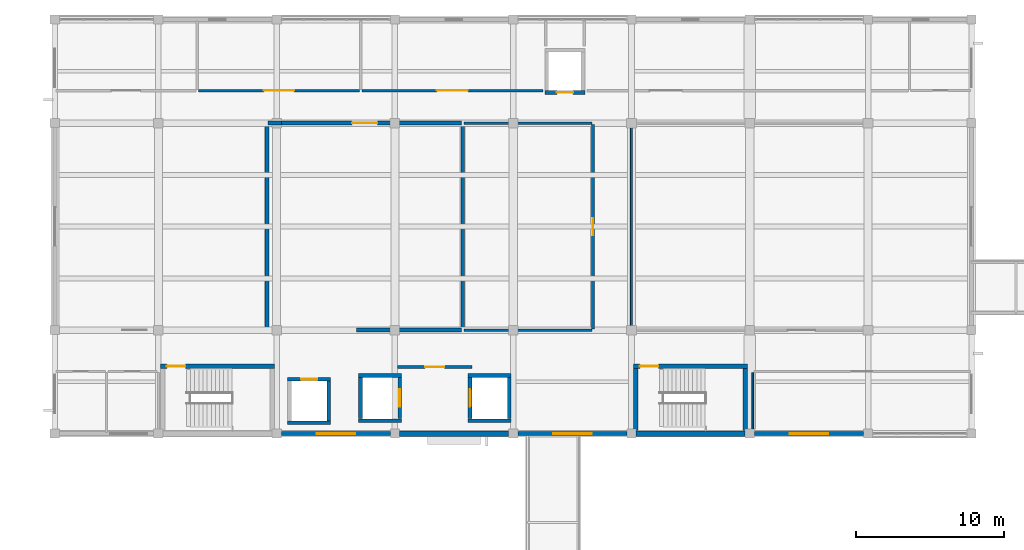
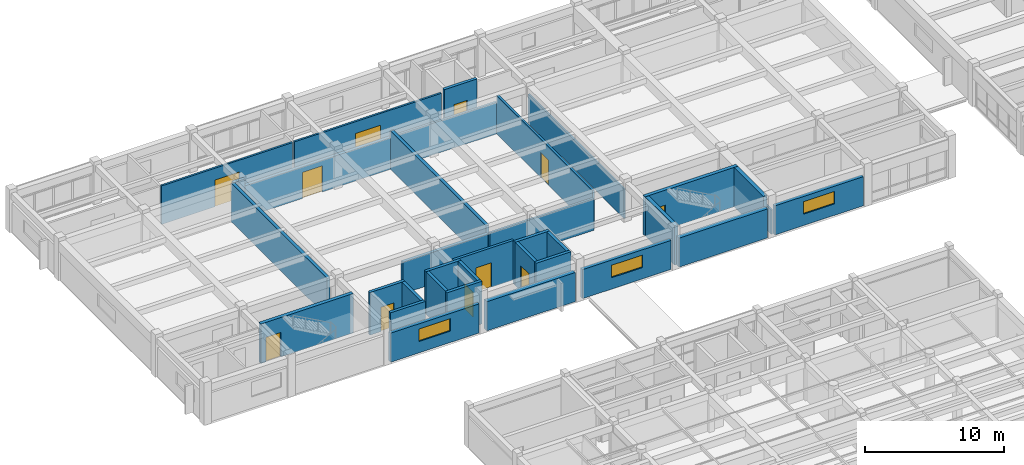
# One storey, part 24 of 33: 34 walls, 11 doors, 3 windows, 14 openings.
"""IFC4 building model written with IfcOpenShell, lengths in metres."""

from ifc_helpers import new_model, si_unit, direction, frame, frame_2d, origin, place, context, subcontext, project, spatial, rectangle, extrude, material, layer, layer_set, type_object, element, fill, save


model = new_model("IFC4")

# Units and contexts
model_context = context("Model", 3, precision=1e-05, world=origin(), true_north=direction((0.0, 1.0)))
body_context = subcontext(model_context, "Body", "Model", "MODEL_VIEW")
ifc_project = project(units=[si_unit("LENGTHUNIT", "METRE"), si_unit("AREAUNIT", "SQUARE_METRE"), si_unit("VOLUMEUNIT", "CUBIC_METRE"), si_unit("PLANEANGLEUNIT", "RADIAN"), si_unit("MASSUNIT", "GRAM", prefix="KILO")], contexts=[model_context])

# Site, building, storey
site_placement = place(None, origin())
site = spatial("IfcSite", under=ifc_project, at=site_placement, CompositionType="ELEMENT")
building_placement = place(site_placement, origin())
building = spatial("IfcBuilding", under=site, at=building_placement, Name="Naurynzar Civic Courthouse", CompositionType="ELEMENT")
storey_placement = place(building_placement, frame((0.0, 0.0, 22.050048828125)))
storey = spatial("IfcBuildingStorey", under=building, at=storey_placement, Name="L06", CompositionType="ELEMENT", Elevation=22.050048828125)

# Walls
ifc_material_1 = material(Name="Acoustic Double-Stud Gypsum Partition")
ifc_layer_1 = layer(ifc_material_1, 0.135009765625)
ifc_layer_set_1 = layer_set([ifc_layer_1], Name="WL-ACOUSTIC-135")
wall_type_1 = type_object("IfcWallType", Name="WL-ACOUSTIC-135", PredefinedType="PARTITIONING", material=ifc_layer_set_1)
wall_1_placement = place(storey_placement, frame((101.0, 51.080078125, 0.0), z_axis=(0.0, 0.0, 1.0), x_axis=(0.0, 1.0, 0.0)))
element("IfcWall", 1, at=wall_1_placement, inside=storey, type_object=wall_type_1, Name="V2 interior partition L06.705", PredefinedType="PARTITIONING", context=body_context, shape_type="SweptSolid", body=[
    extrude(rectangle(XDim=13.83984375, YDim=0.135009765625, at=frame_2d((6.919921875, 0.0))), origin(), (0.0, 0.0, 1.0), 2.579833984375),
])
ifc_material_2 = material(Name="Acoustic Double-Stud Gypsum Partition")
ifc_layer_2 = layer(ifc_material_2, 0.2548828125)
ifc_layer_set_2 = layer_set([ifc_layer_2], Name="WL-ACOUSTIC-255")
wall_type_2 = type_object("IfcWallType", Name="WL-ACOUSTIC-255", PredefinedType="PARTITIONING", material=ifc_layer_set_2)
wall_2_placement = place(storey_placement, frame((82.39990234375, 51.0, 0.0), z_axis=(0.0, 0.0, 1.0), x_axis=(1.0, 0.0, 0.0)))
element("IfcWall", 2, at=wall_2_placement, inside=storey, type_object=wall_type_2, Name="V2 interior partition L06.672", PredefinedType="PARTITIONING", context=body_context, shape_type="SweptSolid", body=[
    extrude(rectangle(XDim=7.10009765625, YDim=0.2548828125, at=frame_2d((3.550048828125, 0.0))), origin(), (0.0, 0.0, 1.0), 2.780029296875),
])
wall_3_placement = place(storey_placement, frame((76.419921875, 65.0, 0.0), z_axis=(0.0, 0.0, 1.0), x_axis=(1.0, 0.0, 0.0)))
element("IfcWall", 3, at=wall_3_placement, inside=storey, type_object=wall_type_2, Name="V2 interior partition L06.678a", PredefinedType="PARTITIONING", context=body_context, shape_type="SweptSolid", body=[
    extrude(rectangle(XDim=0.905029296875, YDim=0.2548828125, at=frame_2d((0.45263671875, 0.0))), origin(), (0.0, 0.0, 1.0), 3.389892578125),
])

# Wall, opening, door
wall_4_placement = place(storey_placement, frame((77.324951171875, 65.0, 0.0), z_axis=(0.0, 0.0, 1.0), x_axis=(1.0, 0.0, 0.0)))
wall_4 = element("IfcWall", 4, at=wall_4_placement, inside=storey, type_object=wall_type_2, Name="V2 interior partition L06.678ab", PredefinedType="PARTITIONING", context=body_context, shape_type="SweptSolid", body=[
    extrude(rectangle(XDim=12.175048828125, YDim=0.2548828125, at=frame_2d((6.08740234375, 0.0))), origin(), (0.0, 0.0, 1.0), 2.780029296875),
])
opening_1_placement = place(wall_4_placement, frame((4.784912109375, 0.0, 0.0)))
opening_1 = element("IfcOpeningElement", 5, at=opening_1_placement, cuts=wall_4, Name="Opening D-167", PredefinedType="OPENING", context=body_context, shape_type="SweptSolid", body=[
    extrude(rectangle(XDim=1.699951171875, YDim=2.300048828125, at=frame_2d((0.85009765625, 1.14990234375))), frame((0.0, 0.137451171875, 0.0), z_axis=(0.0, -1.0, 0.0), x_axis=(1.0, 0.0, 0.0)), (0.0, 0.0, 1.0), 0.27490234375),
])
ifc_material_3 = material(Name="Acoustic Oak Timber Grade A", Category="wood")
door_type_1 = type_object("IfcDoorType", Name="DR-SUITE-1700x2300", OperationType="DOUBLE_DOOR_SINGLE_SWING", PredefinedType="DOOR", material=ifc_material_3)
door_1_placement = place(opening_1_placement, origin())
door_1 = element("IfcDoor", 6, at=door_1_placement, inside=storey, type_object=door_type_1, Name="Interior door D-167 (Civil Trial Courtroom 6B)", OperationType="DOUBLE_DOOR_SINGLE_SWING", OverallHeight=2.300048828125, OverallWidth=1.699951171875, PredefinedType="DOOR", context=body_context, shape_type="SweptSolid", body=[
    extrude(rectangle(XDim=1.699951171875, YDim=2.300048828125, at=frame_2d((0.85009765625, 1.14990234375))), frame((0.0, 0.02490234375, 0.0), z_axis=(0.0, -1.0, 0.0), x_axis=(1.0, 0.0, 0.0)), (0.0, 0.0, 1.0), 0.050048828125),
])
fill(opening_1, door_1)

# Walls
for number, where, z_axis, x_axis, name in (
    (7, (76.340087890625, 51.080078125, 0.0), (0.0, 0.0, 1.0), (0.0, 1.0, 0.0), "V2 interior partition L06.692"),
    (8, (89.580078125, 51.080078125, 0.0), (0.0, 0.0, 1.0), (0.0, 1.0, 0.0), "V2 interior partition L06.698"),
):
    element("IfcWall", number, at=place(storey_placement, frame(where, z_axis=z_axis, x_axis=x_axis)), inside=storey, type_object=wall_type_2, Name=name, PredefinedType="PARTITIONING", context=body_context, shape_type="SweptSolid", body=[
        extrude(rectangle(XDim=13.83984375, YDim=0.2548828125, at=frame_2d((6.919921875, 0.0))), origin(), (0.0, 0.0, 1.0), 3.389892578125),
    ])

# Wall, opening, door
ifc_material_4 = material(Name="Concrete C40/50", Category="concrete")
ifc_layer_3 = layer(ifc_material_4, 0.300048828125)
ifc_layer_set_3 = layer_set([ifc_layer_3], Name="WL-CORE-300")
wall_type_3 = type_object("IfcWallType", Name="WL-CORE-300", PredefinedType="SHEAR", material=ifc_layer_set_3)
wall_5_placement = place(storey_placement, frame((76.85009765625, 48.550048828125, 0.0), z_axis=(0.0, 0.0, 1.0), x_axis=(-1.0, 0.0, 0.0)))
wall_5 = element("IfcWall", 9, at=wall_5_placement, inside=storey, type_object=wall_type_3, Name="Stair ST-V2A enclosure wall north L06", PredefinedType="SHEAR", context=body_context, shape_type="SweptSolid", body=[
    extrude(rectangle(XDim=7.7001953125, YDim=0.300048828125, at=frame_2d((3.85009765625, 0.0))), origin(), (0.0, 0.0, 1.0), 3.469970703125),
])
opening_2_placement = place(wall_5_placement, frame((6.02490234375, 0.0, 0.0)))
opening_2 = element("IfcOpeningElement", 10, at=opening_2_placement, cuts=wall_5, Name="Opening SD-029", PredefinedType="OPENING", context=body_context, shape_type="SweptSolid", body=[
    extrude(rectangle(XDim=1.25, YDim=2.14990234375, at=frame_2d((0.625, 1.074951171875))), frame((0.0, 0.159912109375, 0.0), z_axis=(0.0, -1.0, 0.0), x_axis=(1.0, 0.0, 0.0)), (0.0, 0.0, 1.0), 0.320068359375),
])
ifc_material_5 = material(Name="Powder-Coated Galvanised Steel", Category="steel")
door_type_2 = type_object("IfcDoorType", Name="DR-STAIR-1250x2150", OperationType="NOTDEFINED", PredefinedType="DOOR", material=ifc_material_5)
door_2_placement = place(opening_2_placement, origin())
door_2 = element("IfcDoor", 11, at=door_2_placement, inside=storey, type_object=door_type_2, Name="Stair ST-V2A fire door L06", OperationType="SINGLE_SWING_LEFT", OverallHeight=2.14990234375, OverallWidth=1.25, PredefinedType="DOOR", context=body_context, shape_type="SweptSolid", body=[
    extrude(rectangle(XDim=1.25, YDim=2.14990234375, at=frame_2d((0.625, 1.074951171875))), frame((0.0, 0.02490234375, 0.0), z_axis=(0.0, -1.0, 0.0), x_axis=(1.0, 0.0, 0.0)), (0.0, 0.0, 1.0), 0.050048828125),
])
fill(opening_2, door_2)

wall_6_placement = place(storey_placement, frame((108.85009765625, 48.550048828125, 0.0), z_axis=(0.0, 0.0, 1.0), x_axis=(-1.0, 0.0, 0.0)))
wall_6 = element("IfcWall", 12, at=wall_6_placement, inside=storey, type_object=wall_type_3, Name="Stair ST-V2B enclosure wall north L06", PredefinedType="SHEAR", context=body_context, shape_type="SweptSolid", body=[
    extrude(rectangle(XDim=7.7001953125, YDim=0.300048828125, at=frame_2d((3.85009765625, 0.0))), origin(), (0.0, 0.0, 1.0), 3.469970703125),
])
opening_3_placement = place(wall_6_placement, frame((6.02490234375, 0.0, 0.0)))
opening_3 = element("IfcOpeningElement", 13, at=opening_3_placement, cuts=wall_6, Name="Opening SD-040", PredefinedType="OPENING", context=body_context, shape_type="SweptSolid", body=[
    extrude(rectangle(XDim=1.25, YDim=2.14990234375, at=frame_2d((0.625, 1.074951171875))), frame((0.0, 0.159912109375, 0.0), z_axis=(0.0, -1.0, 0.0), x_axis=(1.0, 0.0, 0.0)), (0.0, 0.0, 1.0), 0.320068359375),
])
door_3_placement = place(opening_3_placement, origin())
door_3 = element("IfcDoor", 14, at=door_3_placement, inside=storey, type_object=door_type_2, Name="Stair ST-V2B fire door L06", OperationType="SINGLE_SWING_RIGHT", OverallHeight=2.14990234375, OverallWidth=1.25, PredefinedType="DOOR", context=body_context, shape_type="SweptSolid", body=[
    extrude(rectangle(XDim=1.25, YDim=2.14990234375, at=frame_2d((0.625, 1.074951171875))), frame((0.0, 0.02490234375, 0.0), z_axis=(0.0, -1.0, 0.0), x_axis=(1.0, 0.0, 0.0)), (0.0, 0.0, 1.0), 0.050048828125),
])
fill(opening_3, door_3)

# Walls
for number, where, z_axis, x_axis, name in (
    (15, (101.300048828125, 48.39501953125, 0.0), (0.0, 0.0, 1.0), (0.0, -1.0, 0.0), "Stair ST-V2B enclosure wall west L06"),
    (16, (108.699951171875, 44.195068359375, 0.0), (0.0, 0.0, 1.0), (0.0, 1.0, 0.0), "Stair ST-V2B enclosure wall east L06"),
):
    element("IfcWall", number, at=place(storey_placement, frame(where, z_axis=z_axis, x_axis=x_axis)), inside=storey, type_object=wall_type_3, Name=name, PredefinedType="SHEAR", context=body_context, shape_type="SweptSolid", body=[
        extrude(rectangle(XDim=4.199951171875, YDim=0.300048828125, at=frame_2d((2.10009765625, 0.0))), origin(), (0.0, 0.0, 1.0), 3.469970703125),
    ])

# Wall, opening, window
ifc_material_6 = material(Name="Precast concrete C40/50", Category="concrete")
ifc_layer_4 = layer(ifc_material_6, 0.280029296875)
ifc_layer_set_4 = layer_set([ifc_layer_4], Name="WL-EXT-280")
wall_type_4 = type_object("IfcWallType", Name="WL-EXT-280", PredefinedType="SOLIDWALL", material=ifc_layer_set_4)
wall_7_placement = place(storey_placement, frame((116.6875, 44.0, 0.0), z_axis=(0.0, 0.0, 1.0), x_axis=(-1.0, 0.0, 0.0)))
wall_7 = element("IfcWall", 17, at=wall_7_placement, inside=storey, type_object=wall_type_4, Name="V2 exterior wall south L06.2.1", PredefinedType="SOLIDWALL", context=body_context, shape_type="SweptSolid", body=[
    extrude(rectangle(XDim=7.375, YDim=0.280029296875, at=frame_2d((3.6875, 0.0))), origin(), (0.0, 0.0, 1.0), 2.56005859375),
])
opening_4_placement = place(wall_7_placement, frame((2.387451171875, 0.0, 1.0)))
opening_4 = element("IfcOpeningElement", 18, at=opening_4_placement, cuts=wall_7, Name="Opening WN-17", PredefinedType="OPENING", context=body_context, shape_type="SweptSolid", body=[
    extrude(rectangle(XDim=2.60009765625, YDim=1.10009765625, at=frame_2d((1.300048828125, 0.550048828125))), frame((0.0, 0.14990234375, 0.0), z_axis=(0.0, -1.0, 0.0), x_axis=(1.0, 0.0, 0.0)), (0.0, 0.0, 1.0), 0.300048828125),
])
ifc_material_7 = material(Name="Tempered Laminated Low-E Glass", Category="glass")
window_type = type_object("IfcWindowType", Name="WIN-CLER-2600x1100", PartitioningType="DOUBLE_PANEL_VERTICAL", PredefinedType="WINDOW", material=ifc_material_7)
window_1_placement = place(opening_4_placement, origin())
window_1 = element("IfcWindow", 19, at=window_1_placement, inside=storey, type_object=window_type, Name="V2 window 102 L06", OverallHeight=1.10009765625, OverallWidth=2.60009765625, PartitioningType="SINGLE_PANEL", PredefinedType="WINDOW", context=body_context, shape_type="SweptSolid", body=[
    extrude(rectangle(XDim=2.60009765625, YDim=1.10009765625, at=frame_2d((1.300048828125, 0.550048828125))), frame((0.0, 0.030029296875, 0.0), z_axis=(0.0, -1.0, 0.0), x_axis=(1.0, 0.0, 0.0)), (0.0, 0.0, 1.0), 0.06005859375),
])
fill(opening_4, window_1)

wall_8_placement = place(storey_placement, frame((100.6875, 44.0, 0.0), z_axis=(0.0, 0.0, 1.0), x_axis=(-1.0, 0.0, 0.0)))
wall_8 = element("IfcWall", 20, at=wall_8_placement, inside=storey, type_object=wall_type_4, Name="V2 exterior wall south L06.4.1", PredefinedType="SOLIDWALL", context=body_context, shape_type="SweptSolid", body=[
    extrude(rectangle(XDim=7.375, YDim=0.280029296875, at=frame_2d((3.6875, 0.0))), origin(), (0.0, 0.0, 1.0), 2.56005859375),
])
opening_5_placement = place(wall_8_placement, frame((2.387451171875, 0.0, 1.0)))
opening_5 = element("IfcOpeningElement", 21, at=opening_5_placement, cuts=wall_8, Name="Opening WN-17", PredefinedType="OPENING", context=body_context, shape_type="SweptSolid", body=[
    extrude(rectangle(XDim=2.60009765625, YDim=1.10009765625, at=frame_2d((1.300048828125, 0.550048828125))), frame((0.0, 0.14990234375, 0.0), z_axis=(0.0, -1.0, 0.0), x_axis=(1.0, 0.0, 0.0)), (0.0, 0.0, 1.0), 0.300048828125),
])
window_2_placement = place(opening_5_placement, origin())
window_2 = element("IfcWindow", 22, at=window_2_placement, inside=storey, type_object=window_type, Name="V2 window 103 L06", OverallHeight=1.10009765625, OverallWidth=2.60009765625, PartitioningType="SINGLE_PANEL", PredefinedType="WINDOW", context=body_context, shape_type="SweptSolid", body=[
    extrude(rectangle(XDim=2.60009765625, YDim=1.10009765625, at=frame_2d((1.300048828125, 0.550048828125))), frame((0.0, 0.030029296875, 0.0), z_axis=(0.0, -1.0, 0.0), x_axis=(1.0, 0.0, 0.0)), (0.0, 0.0, 1.0), 0.06005859375),
])
fill(opening_5, window_2)

wall_9_placement = place(storey_placement, frame((84.6875, 44.0, 0.0), z_axis=(0.0, 0.0, 1.0), x_axis=(-1.0, 0.0, 0.0)))
wall_9 = element("IfcWall", 23, at=wall_9_placement, inside=storey, type_object=wall_type_4, Name="V2 exterior wall south L06.6.1", PredefinedType="SOLIDWALL", context=body_context, shape_type="SweptSolid", body=[
    extrude(rectangle(XDim=7.375, YDim=0.280029296875, at=frame_2d((3.6875, 0.0))), origin(), (0.0, 0.0, 1.0), 2.56005859375),
])
opening_6_placement = place(wall_9_placement, frame((2.387451171875, 0.0, 1.0)))
opening_6 = element("IfcOpeningElement", 24, at=opening_6_placement, cuts=wall_9, Name="Opening WN-17", PredefinedType="OPENING", context=body_context, shape_type="SweptSolid", body=[
    extrude(rectangle(XDim=2.60009765625, YDim=1.10009765625, at=frame_2d((1.300048828125, 0.550048828125))), frame((0.0, 0.14990234375, 0.0), z_axis=(0.0, -1.0, 0.0), x_axis=(1.0, 0.0, 0.0)), (0.0, 0.0, 1.0), 0.300048828125),
])
window_3_placement = place(opening_6_placement, origin())
window_3 = element("IfcWindow", 25, at=window_3_placement, inside=storey, type_object=window_type, Name="V2 window 104 L06", OverallHeight=1.10009765625, OverallWidth=2.60009765625, PartitioningType="SINGLE_PANEL", PredefinedType="WINDOW", context=body_context, shape_type="SweptSolid", body=[
    extrude(rectangle(XDim=2.60009765625, YDim=1.10009765625, at=frame_2d((1.300048828125, 0.550048828125))), frame((0.0, 0.030029296875, 0.0), z_axis=(0.0, -1.0, 0.0), x_axis=(1.0, 0.0, 0.0)), (0.0, 0.0, 1.0), 0.06005859375),
])
fill(opening_6, window_3)

# Wall, opening, door
ifc_material_8 = material(Name="Concrete C35/45", Category="concrete")
ifc_layer_5 = layer(ifc_material_8, 0.219970703125)
ifc_layer_set_5 = layer_set([ifc_layer_5], Name="WL-FFL-220")
wall_type_5 = type_object("IfcWallType", Name="WL-FFL-220", PredefinedType="SOLIDWALL", material=ifc_layer_set_5)
wall_10_placement = place(storey_placement, frame((85.179931640625, 48.510009765625, 0.0), z_axis=(0.0, 0.0, 1.0), x_axis=(1.0, 0.0, 0.0)))
wall_10 = element("IfcWall", 26, at=wall_10_placement, inside=storey, type_object=wall_type_5, Name="Firefighting lift lobby EI 120 wall CORE-V2 L06 north", PredefinedType="SOLIDWALL", context=body_context, shape_type="SweptSolid", body=[
    extrude(rectangle(XDim=5.0400390625, YDim=0.219970703125, at=frame_2d((2.52001953125, 0.0))), origin(), (0.0, 0.0, 1.0), 3.469970703125),
])
opening_7_placement = place(wall_10_placement, frame((1.8701171875, 0.0, 0.0)))
opening_7 = element("IfcOpeningElement", 27, at=opening_7_placement, cuts=wall_10, Name="Opening FD-07", PredefinedType="OPENING", context=body_context, shape_type="SweptSolid", body=[
    extrude(rectangle(XDim=1.300048828125, YDim=2.14990234375, at=frame_2d((0.64990234375, 1.074951171875))), frame((0.0, 0.119873046875, 0.0), z_axis=(0.0, -1.0, 0.0), x_axis=(1.0, 0.0, 0.0)), (0.0, 0.0, 1.0), 0.239990234375),
])
ifc_material_9 = material(Name="Powder-Coated Galvanised Steel", Category="steel")
door_type_3 = type_object("IfcDoorType", Name="DR-FFL-1300x2150", OperationType="NOTDEFINED", PredefinedType="DOOR", material=ifc_material_9)
door_4_placement = place(opening_7_placement, origin())
door_4 = element("IfcDoor", 28, at=door_4_placement, inside=storey, type_object=door_type_3, Name="Firefighting lift lobby door FD-07", OperationType="SINGLE_SWING_LEFT", OverallHeight=2.14990234375, OverallWidth=1.300048828125, PredefinedType="DOOR", context=body_context, shape_type="SweptSolid", body=[
    extrude(rectangle(XDim=1.300048828125, YDim=2.14990234375, at=frame_2d((0.64990234375, 1.074951171875))), frame((0.0, 0.02490234375, 0.0), z_axis=(0.0, -1.0, 0.0), x_axis=(1.0, 0.0, 0.0)), (0.0, 0.0, 1.0), 0.050048828125),
])
fill(opening_7, door_4)

ifc_material_10 = material(Name="Insulated Metal-Stud Gypsum Partition")
ifc_layer_6 = layer(ifc_material_10, 0.159912109375)
ifc_layer_set_6 = layer_set([ifc_layer_6], Name="WL-PART-CHAMB-160")
wall_type_6 = type_object("IfcWallType", Name="WL-PART-CHAMB-160", PredefinedType="PARTITIONING", material=ifc_layer_set_6)
wall_11_placement = place(storey_placement, frame((71.699951171875, 67.199951171875, 0.0), z_axis=(0.0, 0.0, 1.0), x_axis=(1.0, 0.0, 0.0)))
wall_11 = element("IfcWall", 29, at=wall_11_placement, inside=storey, type_object=wall_type_6, Name="V2 interior partition L06.685", PredefinedType="PARTITIONING", context=body_context, shape_type="SweptSolid", body=[
    extrude(rectangle(XDim=10.91015625, YDim=0.159912109375, at=frame_2d((5.455078125, 0.0))), origin(), (0.0, 0.0, 1.0), 3.389892578125),
])
opening_8_placement = place(wall_11_placement, frame((4.429931640625, 0.0, 0.0)))
opening_8 = element("IfcOpeningElement", 30, at=opening_8_placement, cuts=wall_11, Name="Opening D-171", PredefinedType="OPENING", context=body_context, shape_type="SweptSolid", body=[
    extrude(rectangle(XDim=2.050048828125, YDim=2.35009765625, at=frame_2d((1.02490234375, 1.175048828125))), frame((0.0, 0.08984375, 0.0), z_axis=(0.0, -1.0, 0.0), x_axis=(1.0, 0.0, 0.0)), (0.0, 0.0, 1.0), 0.179931640625),
])
ifc_material_11 = material(Name="Acoustic Oak Timber Grade A", Category="wood")
door_type_4 = type_object("IfcDoorType", Name="DR-SUITE-2050x2350", OperationType="DOUBLE_DOOR_SINGLE_SWING", PredefinedType="DOOR", material=ifc_material_11)
door_5_placement = place(opening_8_placement, origin())
door_5 = element("IfcDoor", 31, at=door_5_placement, inside=storey, type_object=door_type_4, Name="Interior door D-171 (Judges' Chambers L06-2)", OperationType="DOUBLE_DOOR_SINGLE_SWING", OverallHeight=2.35009765625, OverallWidth=2.050048828125, PredefinedType="DOOR", context=body_context, shape_type="SweptSolid", body=[
    extrude(rectangle(XDim=2.050048828125, YDim=2.35009765625, at=frame_2d((1.02490234375, 1.175048828125))), frame((0.0, 0.02490234375, 0.0), z_axis=(0.0, -1.0, 0.0), x_axis=(1.0, 0.0, 0.0)), (0.0, 0.0, 1.0), 0.050048828125),
])
fill(opening_8, door_5)

wall_12_placement = place(storey_placement, frame((82.77001953125, 67.199951171875, 0.0), z_axis=(0.0, 0.0, 1.0), x_axis=(1.0, 0.0, 0.0)))
wall_12 = element("IfcWall", 32, at=wall_12_placement, inside=storey, type_object=wall_type_6, Name="V2 interior partition L06.686", PredefinedType="PARTITIONING", context=body_context, shape_type="SweptSolid", body=[
    extrude(rectangle(XDim=12.22998046875, YDim=0.159912109375, at=frame_2d((6.114990234375, 0.0))), origin(), (0.0, 0.0, 1.0), 3.389892578125),
])
opening_9_placement = place(wall_12_placement, frame((5.06494140625, 0.0, 0.0)))
opening_9 = element("IfcOpeningElement", 33, at=opening_9_placement, cuts=wall_12, Name="Opening D-172", PredefinedType="OPENING", context=body_context, shape_type="SweptSolid", body=[
    extrude(rectangle(XDim=2.10009765625, YDim=2.35009765625, at=frame_2d((1.050048828125, 1.175048828125))), frame((0.0, 0.08984375, 0.0), z_axis=(0.0, -1.0, 0.0), x_axis=(1.0, 0.0, 0.0)), (0.0, 0.0, 1.0), 0.179931640625),
])
ifc_material_12 = material(Name="Acoustic Oak Timber Grade A", Category="wood")
door_type_5 = type_object("IfcDoorType", Name="DR-SUITE-2100x2350", OperationType="DOUBLE_DOOR_SINGLE_SWING", PredefinedType="DOOR", material=ifc_material_12)
door_6_placement = place(opening_9_placement, origin())
door_6 = element("IfcDoor", 34, at=door_6_placement, inside=storey, type_object=door_type_5, Name="Interior door D-172 (Judges' Chambers L06-3)", OperationType="DOUBLE_DOOR_SINGLE_SWING", OverallHeight=2.35009765625, OverallWidth=2.10009765625, PredefinedType="DOOR", context=body_context, shape_type="SweptSolid", body=[
    extrude(rectangle(XDim=2.10009765625, YDim=2.35009765625, at=frame_2d((1.050048828125, 1.175048828125))), frame((0.0, 0.02490234375, 0.0), z_axis=(0.0, -1.0, 0.0), x_axis=(1.0, 0.0, 0.0)), (0.0, 0.0, 1.0), 0.050048828125),
])
fill(opening_9, door_6)

# Walls
ifc_material_13 = material(Name="Acoustic Double-Stud Gypsum Partition")
ifc_layer_7 = layer(ifc_material_13, 0.179931640625)
ifc_layer_set_7 = layer_set([ifc_layer_7], Name="WL-PART-JURY-180")
wall_type_7 = type_object("IfcWallType", Name="WL-PART-JURY-180", PredefinedType="PARTITIONING", material=ifc_layer_set_7)
for number, where, z_axis, x_axis, name in (
    (35, (89.659912109375, 51.0, 0.0), (0.0, 0.0, 1.0), (1.0, 0.0, 0.0), "V2 interior partition L06.673"),
    (36, (89.659912109375, 65.0, 0.0), (0.0, 0.0, 1.0), (1.0, 0.0, 0.0), "V2 interior partition L06.679"),
):
    element("IfcWall", number, at=place(storey_placement, frame(where, z_axis=z_axis, x_axis=x_axis)), inside=storey, type_object=wall_type_7, Name=name, PredefinedType="PARTITIONING", context=body_context, shape_type="SweptSolid", body=[
        extrude(rectangle(XDim=8.66015625, YDim=0.179931640625, at=frame_2d((4.330078125, 0.0))), origin(), (0.0, 0.0, 1.0), 2.780029296875),
    ])

# Wall, opening, door
wall_13_placement = place(storey_placement, frame((98.39990234375, 51.080078125, 0.0), z_axis=(0.0, 0.0, 1.0), x_axis=(0.0, 1.0, 0.0)))
wall_13 = element("IfcWall", 37, at=wall_13_placement, inside=storey, type_object=wall_type_7, Name="V2 interior partition L06.702", PredefinedType="PARTITIONING", context=body_context, shape_type="SweptSolid", body=[
    extrude(rectangle(XDim=13.83984375, YDim=0.179931640625, at=frame_2d((6.919921875, 0.0))), origin(), (0.0, 0.0, 1.0), 3.389892578125),
])
opening_10_placement = place(wall_13_placement, frame((6.344970703125, 0.0, 0.0)))
opening_10 = element("IfcOpeningElement", 38, at=opening_10_placement, cuts=wall_13, Name="Opening D-168", PredefinedType="OPENING", context=body_context, shape_type="SweptSolid", body=[
    extrude(rectangle(XDim=1.14990234375, YDim=2.199951171875, at=frame_2d((0.574951171875, 1.10009765625))), frame((0.0, 0.099853515625, 0.0), z_axis=(0.0, -1.0, 0.0), x_axis=(1.0, 0.0, 0.0)), (0.0, 0.0, 1.0), 0.199951171875),
])
ifc_material_14 = material(Name="Acoustic Oak Timber Grade A", Category="wood")
door_type_6 = type_object("IfcDoorType", Name="DR-JURY-1150x2200", OperationType="NOTDEFINED", PredefinedType="DOOR", material=ifc_material_14)
door_7_placement = place(opening_10_placement, origin())
door_7 = element("IfcDoor", 39, at=door_7_placement, inside=storey, type_object=door_type_6, Name="Interior door D-168 (Jury Room 6A)", OperationType="SINGLE_SWING_RIGHT", OverallHeight=2.199951171875, OverallWidth=1.14990234375, PredefinedType="DOOR", context=body_context, shape_type="SweptSolid", body=[
    extrude(rectangle(XDim=1.14990234375, YDim=2.199951171875, at=frame_2d((0.574951171875, 1.10009765625))), frame((0.0, 0.02490234375, 0.0), z_axis=(0.0, -1.0, 0.0), x_axis=(1.0, 0.0, 0.0)), (0.0, 0.0, 1.0), 0.050048828125),
])
fill(opening_10, door_7)

# Walls
ifc_material_15 = material(Name="Metal-Stud Gypsum Partition")
ifc_layer_8 = layer(ifc_material_15, 0.125)
ifc_layer_set_8 = layer_set([ifc_layer_8], Name="WL-PART-STD-125")
wall_type_8 = type_object("IfcWallType", Name="WL-PART-STD-125", PredefinedType="PARTITIONING", material=ifc_layer_set_8)
wall_14_placement = place(storey_placement, frame((109.199951171875, 44.080078125, 0.0), z_axis=(0.0, 0.0, 1.0), x_axis=(0.0, 1.0, 0.0)))
element("IfcWall", 40, at=wall_14_placement, inside=storey, type_object=wall_type_8, Name="V2 interior partition L06.708", PredefinedType="PARTITIONING", context=body_context, shape_type="SweptSolid", body=[
    extrude(rectangle(XDim=4.0400390625, YDim=0.125, at=frame_2d((2.02001953125, 0.0))), origin(), (0.0, 0.0, 1.0), 2.1298828125),
])
ifc_material_16 = material(Name="Concrete C40/50", Category="concrete")
ifc_layer_9 = layer(ifc_material_16, 0.3798828125)
ifc_layer_set_9 = layer_set([ifc_layer_9], Name="WL-RET-380")
wall_type_9 = type_object("IfcWallType", Name="WL-RET-380", PredefinedType="STANDARD", material=ifc_layer_set_9)
for number, where, z_axis, x_axis, name in (
    (41, (108.6875, 44.0, 0.0), (0.0, 0.0, 1.0), (-1.0, 0.0, 0.0), "V2 exterior wall south L06.3.1"),
    (42, (92.6875, 44.0, 0.0), (0.0, 0.0, 1.0), (-1.0, 0.0, 0.0), "V2 exterior wall south L06.5.1"),
):
    element("IfcWall", number, at=place(storey_placement, frame(where, z_axis=z_axis, x_axis=x_axis)), inside=storey, type_object=wall_type_9, Name=name, PredefinedType="STANDARD", context=body_context, shape_type="SweptSolid", body=[
        extrude(rectangle(XDim=7.375, YDim=0.3798828125, at=frame_2d((3.6875, 0.0))), origin(), (0.0, 0.0, 1.0), 2.56005859375),
    ])
ifc_material_17 = material(Name="Concrete C40/50", Category="concrete")
ifc_layer_10 = layer(ifc_material_17, 0.25)
ifc_layer_set_10 = layer_set([ifc_layer_10], Name="WL-SHAFT-250")
wall_type_10 = type_object("IfcWallType", Name="WL-SHAFT-250", PredefinedType="SHEAR", material=ifc_layer_set_10)
wall_15_placement = place(storey_placement, frame((77.75, 44.72509765625, 0.0), z_axis=(0.0, 0.0, 1.0), x_axis=(1.0, 0.0, 0.0)))
element("IfcWall", 43, at=wall_15_placement, inside=storey, type_object=wall_type_10, Name="Lift LP-03 shaft wall south L06", PredefinedType="SHEAR", context=body_context, shape_type="SweptSolid", body=[
    extrude(rectangle(XDim=2.89990234375, YDim=0.25, at=frame_2d((1.449951171875, 0.0))), origin(), (0.0, 0.0, 1.0), 3.75),
])

# Wall, opening, door
wall_16_placement = place(storey_placement, frame((80.64990234375, 47.675048828125, 0.0), z_axis=(0.0, 0.0, 1.0), x_axis=(-1.0, 0.0, 0.0)))
wall_16 = element("IfcWall", 44, at=wall_16_placement, inside=storey, type_object=wall_type_10, Name="Lift LP-03 shaft wall north L06", PredefinedType="SHEAR", context=body_context, shape_type="SweptSolid", body=[
    extrude(rectangle(XDim=2.89990234375, YDim=0.25, at=frame_2d((1.449951171875, 0.0))), origin(), (0.0, 0.0, 1.0), 3.75),
])
opening_11_placement = place(wall_16_placement, frame((0.89990234375, 0.0, 0.0)))
opening_11 = element("IfcOpeningElement", 45, at=opening_11_placement, cuts=wall_16, Name="Opening LD-023", PredefinedType="OPENING", context=body_context, shape_type="SweptSolid", body=[
    extrude(rectangle(XDim=1.10009765625, YDim=2.14990234375, at=frame_2d((0.550048828125, 1.074951171875))), frame((0.0, 0.135009765625, 0.0), z_axis=(0.0, -1.0, 0.0), x_axis=(1.0, 0.0, 0.0)), (0.0, 0.0, 1.0), 0.27001953125),
])
ifc_material_18 = material(Name="Brushed Stainless Steel 304", Category="steel")
door_type_7 = type_object("IfcDoorType", Name="DR-LIFT-SLIDE-1100x2150", OperationType="DOUBLE_DOOR_SLIDING", PredefinedType="DOOR", material=ifc_material_18)
door_8_placement = place(opening_11_placement, origin())
door_8 = element("IfcDoor", 46, at=door_8_placement, inside=storey, type_object=door_type_7, Name="Lift LP-03 sliding landing door L06", OperationType="DOUBLE_DOOR_SLIDING", OverallHeight=2.14990234375, OverallWidth=1.10009765625, PredefinedType="DOOR", context=body_context, shape_type="SweptSolid", body=[
    extrude(rectangle(XDim=1.10009765625, YDim=2.14990234375, at=frame_2d((0.550048828125, 1.074951171875))), frame((0.0, 0.02490234375, 0.0), z_axis=(0.0, -1.0, 0.0), x_axis=(1.0, 0.0, 0.0)), (0.0, 0.0, 1.0), 0.050048828125),
])
fill(opening_11, door_8)

# Walls
wall_17_placement = place(storey_placement, frame((80.52490234375, 44.85498046875, 0.0), z_axis=(0.0, 0.0, 1.0), x_axis=(0.0, 1.0, 0.0)))
element("IfcWall", 47, at=wall_17_placement, inside=storey, type_object=wall_type_10, Name="Lift LP-03 shaft wall east L06", PredefinedType="SHEAR", context=body_context, shape_type="SweptSolid", body=[
    extrude(rectangle(XDim=2.68994140625, YDim=0.25, at=frame_2d((1.344970703125, 0.0))), origin(), (0.0, 0.0, 1.0), 3.75),
])
for number, where, z_axis, x_axis, name in (
    (48, (82.550048828125, 44.875, 0.0), (0.0, 0.0, 1.0), (1.0, 0.0, 0.0), "Lift FL-02 shaft wall south L06"),
    (49, (85.449951171875, 47.925048828125, 0.0), (0.0, 0.0, 1.0), (-1.0, 0.0, 0.0), "Lift FL-02 shaft wall north L06"),
):
    element("IfcWall", number, at=place(storey_placement, frame(where, z_axis=z_axis, x_axis=x_axis)), inside=storey, type_object=wall_type_10, Name=name, PredefinedType="SHEAR", context=body_context, shape_type="SweptSolid", body=[
        extrude(rectangle(XDim=2.89990234375, YDim=0.25, at=frame_2d((1.449951171875, 0.0))), origin(), (0.0, 0.0, 1.0), 3.75),
    ])
wall_18_placement = place(storey_placement, frame((82.675048828125, 47.794921875, 0.0), z_axis=(0.0, 0.0, 1.0), x_axis=(0.0, -1.0, 0.0)))
element("IfcWall", 50, at=wall_18_placement, inside=storey, type_object=wall_type_10, Name="Lift FL-02 shaft wall west L06", PredefinedType="SHEAR", context=body_context, shape_type="SweptSolid", body=[
    extrude(rectangle(XDim=2.7900390625, YDim=0.25, at=frame_2d((1.39501953125, 0.0))), origin(), (0.0, 0.0, 1.0), 3.75),
])

# Wall, opening, door
wall_19_placement = place(storey_placement, frame((85.324951171875, 45.0048828125, 0.0), z_axis=(0.0, 0.0, 1.0), x_axis=(0.0, 1.0, 0.0)))
wall_19 = element("IfcWall", 51, at=wall_19_placement, inside=storey, type_object=wall_type_10, Name="Lift FL-02 shaft wall east L06", PredefinedType="SHEAR", context=body_context, shape_type="SweptSolid", body=[
    extrude(rectangle(XDim=2.7900390625, YDim=0.25, at=frame_2d((1.39501953125, 0.0))), origin(), (0.0, 0.0, 1.0), 3.75),
])
opening_12_placement = place(wall_19_placement, frame((0.794921875, 0.0, 0.0)))
opening_12 = element("IfcOpeningElement", 52, at=opening_12_placement, cuts=wall_19, Name="Opening LD-034", PredefinedType="OPENING", context=body_context, shape_type="SweptSolid", body=[
    extrude(rectangle(XDim=1.199951171875, YDim=2.199951171875, at=frame_2d((0.60009765625, 1.10009765625))), frame((0.0, 0.135009765625, 0.0), z_axis=(0.0, -1.0, 0.0), x_axis=(1.0, 0.0, 0.0)), (0.0, 0.0, 1.0), 0.27001953125),
])
ifc_material_19 = material(Name="Brushed Stainless Steel 304", Category="steel")
door_type_8 = type_object("IfcDoorType", Name="DR-LIFT-FF-1200x2200", OperationType="DOUBLE_DOOR_SLIDING", PredefinedType="DOOR", material=ifc_material_19)
door_9_placement = place(opening_12_placement, origin())
door_9 = element("IfcDoor", 53, at=door_9_placement, inside=storey, type_object=door_type_8, Name="Lift FL-02 sliding landing door L06", OperationType="DOUBLE_DOOR_SLIDING", OverallHeight=2.199951171875, OverallWidth=1.199951171875, PredefinedType="DOOR", context=body_context, shape_type="SweptSolid", body=[
    extrude(rectangle(XDim=1.199951171875, YDim=2.199951171875, at=frame_2d((0.60009765625, 1.10009765625))), frame((0.0, 0.02490234375, 0.0), z_axis=(0.0, -1.0, 0.0), x_axis=(1.0, 0.0, 0.0)), (0.0, 0.0, 1.0), 0.050048828125),
])
fill(opening_12, door_9)

# Walls
for number, where, z_axis, x_axis, name in (
    (54, (89.949951171875, 44.875, 0.0), (0.0, 0.0, 1.0), (1.0, 0.0, 0.0), "Lift FL-01 shaft wall south L06"),
    (55, (92.85009765625, 47.925048828125, 0.0), (0.0, 0.0, 1.0), (-1.0, 0.0, 0.0), "Lift FL-01 shaft wall north L06"),
):
    element("IfcWall", number, at=place(storey_placement, frame(where, z_axis=z_axis, x_axis=x_axis)), inside=storey, type_object=wall_type_10, Name=name, PredefinedType="SHEAR", context=body_context, shape_type="SweptSolid", body=[
        extrude(rectangle(XDim=2.900146484375, YDim=0.25, at=frame_2d((1.4501953125, 0.0))), origin(), (0.0, 0.0, 1.0), 3.75),
    ])

# Wall, opening, door
wall_20_placement = place(storey_placement, frame((90.074951171875, 47.794921875, 0.0), z_axis=(0.0, 0.0, 1.0), x_axis=(0.0, -1.0, 0.0)))
wall_20 = element("IfcWall", 56, at=wall_20_placement, inside=storey, type_object=wall_type_10, Name="Lift FL-01 shaft wall west L06", PredefinedType="SHEAR", context=body_context, shape_type="SweptSolid", body=[
    extrude(rectangle(XDim=2.7900390625, YDim=0.25, at=frame_2d((1.39501953125, 0.0))), origin(), (0.0, 0.0, 1.0), 3.75),
])
opening_13_placement = place(wall_20_placement, frame((0.794921875, 0.0, 0.0)))
opening_13 = element("IfcOpeningElement", 57, at=opening_13_placement, cuts=wall_20, Name="Opening LD-045", PredefinedType="OPENING", context=body_context, shape_type="SweptSolid", body=[
    extrude(rectangle(XDim=1.199951171875, YDim=2.199951171875, at=frame_2d((0.60009765625, 1.10009765625))), frame((0.0, 0.135009765625, 0.0), z_axis=(0.0, -1.0, 0.0), x_axis=(1.0, 0.0, 0.0)), (0.0, 0.0, 1.0), 0.27001953125),
])
door_10_placement = place(opening_13_placement, origin())
door_10 = element("IfcDoor", 58, at=door_10_placement, inside=storey, type_object=door_type_8, Name="Lift FL-01 sliding landing door L06", OperationType="DOUBLE_DOOR_SLIDING", OverallHeight=2.199951171875, OverallWidth=1.199951171875, PredefinedType="DOOR", context=body_context, shape_type="SweptSolid", body=[
    extrude(rectangle(XDim=1.199951171875, YDim=2.199951171875, at=frame_2d((0.60009765625, 1.10009765625))), frame((0.0, 0.02490234375, 0.0), z_axis=(0.0, -1.0, 0.0), x_axis=(1.0, 0.0, 0.0)), (0.0, 0.0, 1.0), 0.050048828125),
])
fill(opening_13, door_10)

# Wall
wall_21_placement = place(storey_placement, frame((92.72509765625, 45.0048828125, 0.0), z_axis=(0.0, 0.0, 1.0), x_axis=(0.0, 1.0, 0.0)))
element("IfcWall", 59, at=wall_21_placement, inside=storey, type_object=wall_type_10, Name="Lift FL-01 shaft wall east L06", PredefinedType="SHEAR", context=body_context, shape_type="SweptSolid", body=[
    extrude(rectangle(XDim=2.7900390625, YDim=0.25, at=frame_2d((1.39501953125, 0.0))), origin(), (0.0, 0.0, 1.0), 3.75),
])

# Wall, opening, door
wall_22_placement = place(storey_placement, frame((95.14990234375, 67.074951171875, 0.0), z_axis=(0.0, 0.0, 1.0), x_axis=(1.0, 0.0, 0.0)))
wall_22 = element("IfcWall", 60, at=wall_22_placement, inside=storey, type_object=wall_type_10, Name="Lift LJ-02 shaft wall south L06", PredefinedType="SHEAR", context=body_context, shape_type="SweptSolid", body=[
    extrude(rectangle(XDim=2.7001953125, YDim=0.25, at=frame_2d((1.35009765625, 0.0))), origin(), (0.0, 0.0, 1.0), 3.75),
])
opening_14_placement = place(wall_22_placement, frame((0.800048828125, 0.0, 0.0)))
opening_14 = element("IfcOpeningElement", 61, at=opening_14_placement, cuts=wall_22, Name="Opening LD-056", PredefinedType="OPENING", context=body_context, shape_type="SweptSolid", body=[
    extrude(rectangle(XDim=1.10009765625, YDim=2.14990234375, at=frame_2d((0.550048828125, 1.074951171875))), frame((0.0, 0.135009765625, 0.0), z_axis=(0.0, -1.0, 0.0), x_axis=(1.0, 0.0, 0.0)), (0.0, 0.0, 1.0), 0.27001953125),
])
door_11_placement = place(opening_14_placement, origin())
door_11 = element("IfcDoor", 62, at=door_11_placement, inside=storey, type_object=door_type_7, Name="Lift LJ-02 sliding landing door L06", OperationType="DOUBLE_DOOR_SLIDING", OverallHeight=2.14990234375, OverallWidth=1.10009765625, PredefinedType="DOOR", context=body_context, shape_type="SweptSolid", body=[
    extrude(rectangle(XDim=1.10009765625, YDim=2.14990234375, at=frame_2d((0.550048828125, 1.074951171875))), frame((0.0, 0.02490234375, 0.0), z_axis=(0.0, -1.0, 0.0), x_axis=(1.0, 0.0, 0.0)), (0.0, 0.0, 1.0), 0.050048828125),
])
fill(opening_14, door_11)

save(model, "model.ifc")
